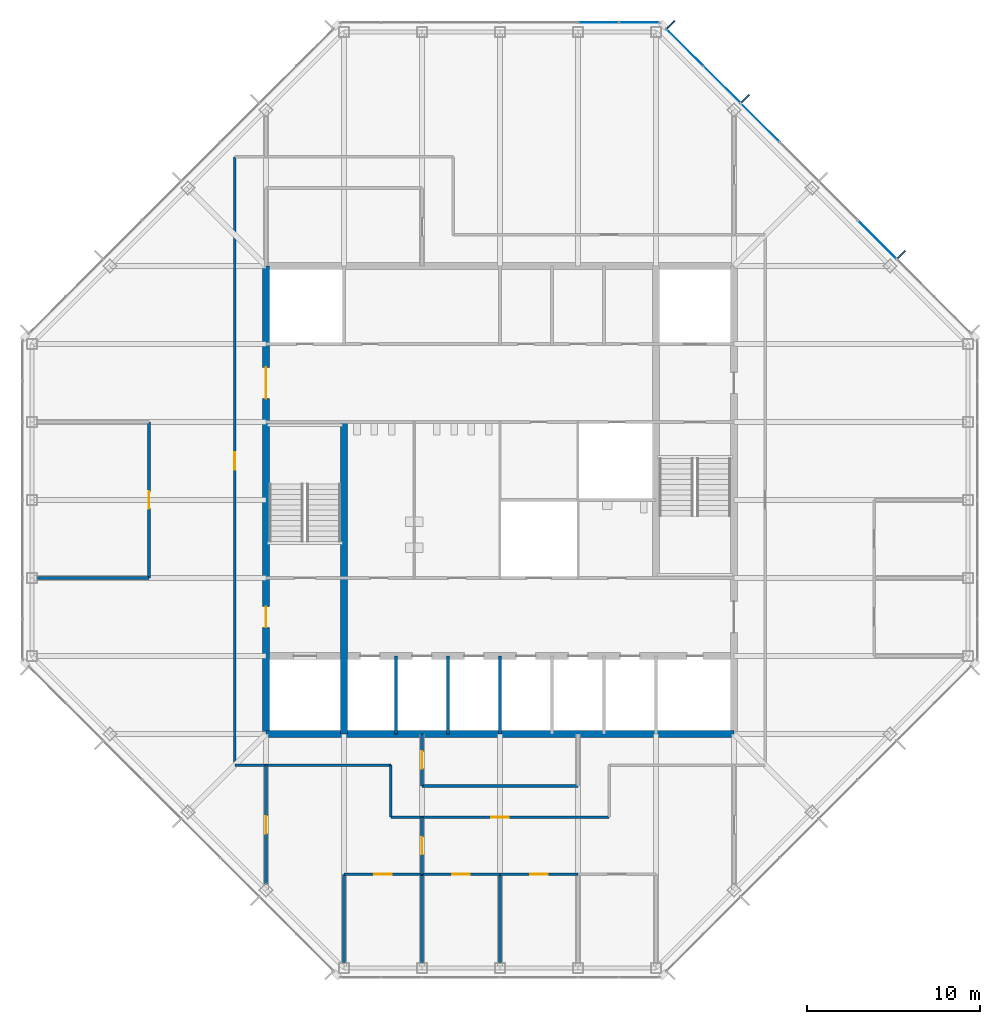
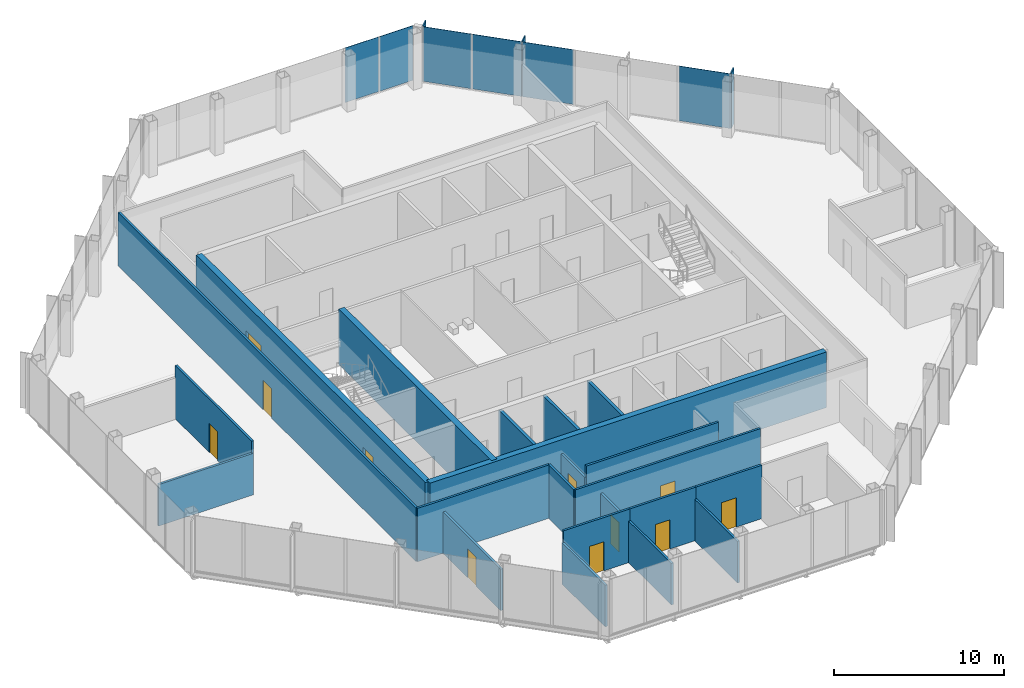
# One storey, part 9 of 13: 22 walls, 11 doors, 9 plates, 11 openings, 2 elements without a shape of their own.
"""IFC4 building model written with IfcOpenShell, lengths in metres."""

from ifc_helpers import new_model, si_unit, direction, frame, frame_2d, origin, origin_2d, place, context, subcontext, project, spatial, rectangle, extrude, material, layer, layer_set, type_object, element, fill, aggregate, save


model = new_model("IFC4")

# Units and contexts
model_context = context("Model", 3, precision=1e-05, world=origin(), true_north=direction((0.0, 1.0)))
body_context = subcontext(model_context, "Body", "Model", "MODEL_VIEW")
ifc_project = project(units=[si_unit("LENGTHUNIT", "METRE"), si_unit("AREAUNIT", "SQUARE_METRE"), si_unit("VOLUMEUNIT", "CUBIC_METRE"), si_unit("PLANEANGLEUNIT", "RADIAN"), si_unit("MASSUNIT", "GRAM", prefix="KILO")], contexts=[model_context])

# Site, building, storey
site_placement = place(None, origin())
site = spatial("IfcSite", under=ifc_project, at=site_placement, CompositionType="ELEMENT")
building_placement = place(site_placement, origin())
building = spatial("IfcBuilding", under=site, at=building_placement, Name="Corais Broadcast Tower", CompositionType="ELEMENT")
storey_placement = place(building_placement, frame((0.0, 0.0, 270.60009765625)))
storey = spatial("IfcBuildingStorey", under=building, at=storey_placement, Name="L63", CompositionType="ELEMENT", Elevation=270.60009765625)

# Curtain wall, plate
ifc_material_1 = material(Name="Aluminium and glass", Category="aluminium")
curtain_wall_type = type_object("IfcCurtainWallType", Name="Unitised fritted curtain wall CW3", PredefinedType="NOTDEFINED", material=ifc_material_1)
curtain_wall_1_placement = place(storey_placement, origin())
curtain_wall_1 = element("IfcCurtainWall", 1, at=curtain_wall_1_placement, inside=storey, type_object=curtain_wall_type, Name="CW3 curtain wall L63 4", PredefinedType="NOTDEFINED")
ifc_material_2 = material(Name="Ceramic-fritted laminated glass", Category="glass")
ifc_layer_1 = layer(ifc_material_2, 0.02587890625)
ifc_layer_set_1 = layer_set([ifc_layer_1], Name="Ceramic-fritted laminated glass")
plate_type_1 = type_object("IfcPlateType", Name="Fritted glass panel CW3", PredefinedType="CURTAIN_PANEL", material=ifc_layer_set_1)
plate_1_placement = place(storey_placement, frame((32.681884765625, 54.550048828125, 0.06494140625), z_axis=(0.0, 0.0, 1.0), x_axis=(1.0, 0.0, 0.0)))
plate_1 = element("IfcPlate", 2, at=plate_1_placement, type_object=plate_type_1, Name="CW3 panel 5", PredefinedType="CURTAIN_PANEL", context=body_context, shape_type="SweptSolid", body=[
    extrude(rectangle(XDim=2.298828125, YDim=0.02587890625, at=origin_2d()), origin(), (0.0, 0.0, 1.0), 3.93505859375),
])

# Curtain wall, plates
curtain_wall_2_placement = place(storey_placement, origin())
curtain_wall_2 = element("IfcCurtainWall", 3, at=curtain_wall_2_placement, inside=storey, type_object=curtain_wall_type, Name="CW3 curtain wall L63 5", PredefinedType="NOTDEFINED")
plate_2_placement = place(storey_placement, frame((37.669677734375, 53.108154296875, 0.06494140625), z_axis=(0.0, 0.0, 1.0), x_axis=(0.707106781187, -0.707106781187, 0.0)))
plate_2 = element("IfcPlate", 4, at=plate_2_placement, type_object=plate_type_1, Name="CW3 panel 1", PredefinedType="CURTAIN_PANEL", context=body_context, shape_type="SweptSolid", body=[
    extrude(rectangle(XDim=2.9482421875, YDim=0.02587890625, at=origin_2d()), origin(), (0.0, 0.0, 1.0), 3.93505859375),
])
plate_3_placement = place(storey_placement, frame((42.013916015625, 48.763916015625, 0.06494140625), z_axis=(0.0, 0.0, 1.0), x_axis=(0.707106781187, -0.707106781187, 0.0)))
plate_3 = element("IfcPlate", 5, at=plate_3_placement, type_object=plate_type_1, Name="CW3 panel 3", PredefinedType="CURTAIN_PANEL", context=body_context, shape_type="SweptSolid", body=[
    extrude(rectangle(XDim=3.116943359375, YDim=0.02587890625, at=origin_2d()), origin(), (0.0, 0.0, 1.0), 3.93505859375),
])

# Plate
ifc_material_3 = material(Name="Clear laminated glass", Category="glass")
ifc_layer_2 = layer(ifc_material_3, 0.030029296875)
ifc_layer_set_2 = layer_set([ifc_layer_2], Name="Clear laminated glass")
plate_type_2 = type_object("IfcPlateType", Name="Operable glass panel CW3", PredefinedType="CURTAIN_PANEL", material=ifc_layer_set_2)
plate_4_placement = place(storey_placement, frame((35.029541015625, 54.550048828125, 0.06494140625), z_axis=(0.0, 0.0, 1.0), x_axis=(1.0, 0.0, 0.0)))
plate_4 = element("IfcPlate", 6, at=plate_4_placement, type_object=plate_type_2, Name="CW3 operable panel 6", PredefinedType="CURTAIN_PANEL", context=body_context, shape_type="SweptSolid", body=[
    extrude(rectangle(XDim=2.266357421875, YDim=0.030029296875, at=origin_2d()), origin(), (0.0, 0.0, 1.0), 3.93505859375),
])

aggregate(curtain_wall_1, [plate_1, plate_4])

plate_5_placement = place(storey_placement, frame((39.81201171875, 50.9658203125, 0.06494140625), z_axis=(0.0, 0.0, 1.0), x_axis=(0.707106781187, -0.707106781187, 0.0)))
plate_5 = element("IfcPlate", 7, at=plate_5_placement, type_object=plate_type_2, Name="CW3 operable panel 2", PredefinedType="CURTAIN_PANEL", context=body_context, shape_type="SweptSolid", body=[
    extrude(rectangle(XDim=2.98095703125, YDim=0.030029296875, at=origin_2d()), origin(), (0.0, 0.0, 1.0), 3.93505859375),
])

plate_6_placement = place(storey_placement, frame((48.763916015625, 42.013916015625, 0.06494140625), z_axis=(0.0, 0.0, 1.0), x_axis=(0.707106781187, -0.707106781187, 0.0)))
plate_6 = element("IfcPlate", 8, at=plate_6_placement, type_object=plate_type_2, Name="CW3 operable panel 6", PredefinedType="CURTAIN_PANEL", context=body_context, shape_type="SweptSolid", body=[
    extrude(rectangle(XDim=3.116943359375, YDim=0.030029296875, at=origin_2d()), origin(), (0.0, 0.0, 1.0), 3.93505859375),
])

aggregate(curtain_wall_2, [plate_2, plate_5, plate_3, plate_6])

# Plates
ifc_material_4 = material(Name="Granite stone cladding", Category="masonry")
ifc_layer_3 = layer(ifc_material_4, 0.080078125)
ifc_layer_set_3 = layer_set([ifc_layer_3], Name="Granite stone cladding")
plate_type_3 = type_object("IfcPlateType", Name="Stone screen fin 80x600", PredefinedType="USERDEFINED", material=ifc_layer_set_3)
for number, where, z_axis, x_axis, name in (
    (9, (36.870849609375, 54.43994140625, 0.0), (0.0, 0.0, 1.0), (0.707106781187, -0.707106781187, 0.0), "SF1 stone screen fin L63"),
    (10, (41.155517578125, 50.155517578125, 0.0), (0.0, 0.0, 1.0), (0.707106781187, -0.707106781187, 0.0), "SF1 stone screen fin L63"),
    (11, (50.155517578125, 41.155517578125, 0.0), (0.0, 0.0, 1.0), (0.707106781187, -0.707106781187, 0.0), "SF1 stone screen fin L63"),
):
    element("IfcPlate", number, at=place(storey_placement, frame(where, z_axis=z_axis, x_axis=x_axis)), inside=storey, type_object=plate_type_3, Name=name, ObjectType="STONE SCREEN FIN", PredefinedType="USERDEFINED", context=body_context, shape_type="SweptSolid", body=[
        extrude(rectangle(XDim=0.080078125, YDim=0.60009765625, at=origin_2d()), origin(), (0.0, 0.0, 1.0), 4.0),
    ])

# Wall
ifc_material_5 = material(Name="Concrete C50/60", Category="concrete")
ifc_layer_4 = layer(ifc_material_5, 0.39990234375)
ifc_layer_set_4 = layer_set([ifc_layer_4], Name="Concrete C50/60")
wall_type_1 = type_object("IfcWallType", Name="Core wall 400", PredefinedType="SHEAR", material=ifc_layer_set_4)
wall_1_placement = place(storey_placement, frame((13.5, 13.5, 0.0), z_axis=(0.0, 0.0, 1.0), x_axis=(1.0, 0.0, 0.0)))
element("IfcWall", 12, at=wall_1_placement, inside=storey, type_object=wall_type_1, Name="CR400 core wall S L63", PredefinedType="SHEAR", context=body_context, shape_type="SweptSolid", body=[
    extrude(rectangle(XDim=27.0, YDim=0.39990234375, at=frame_2d((13.5, 0.0))), origin(), (0.0, 0.0, 1.0), 4.0),
])

# Wall, openings, doors
wall_2_placement = place(storey_placement, frame((13.5, 40.5, 0.0), z_axis=(0.0, 0.0, 1.0), x_axis=(0.0, -1.0, 0.0)))
wall_2 = element("IfcWall", 13, at=wall_2_placement, inside=storey, type_object=wall_type_1, Name="CR400 core wall W L63", PredefinedType="SHEAR", context=body_context, shape_type="SweptSolid", body=[
    extrude(rectangle(XDim=27.0, YDim=0.39990234375, at=frame_2d((13.5, 0.0))), origin(), (0.0, 0.0, 1.0), 4.0),
])
opening_1_placement = place(wall_2_placement, frame((19.64990234375, 0.0, 0.0)))
opening_1 = element("IfcOpeningElement", 14, at=opening_1_placement, cuts=wall_2, Name="Opening FD1", PredefinedType="OPENING", context=body_context, shape_type="SweptSolid", body=[
    extrude(rectangle(XDim=1.199951171875, YDim=2.10009765625, at=frame_2d((0.60009765625, 1.050048828125))), frame((0.0, 0.2099609375, 0.0), z_axis=(0.0, -1.0, 0.0), x_axis=(1.0, 0.0, 0.0)), (0.0, 0.0, 1.0), 0.419921875),
])
opening_2_placement = place(wall_2_placement, frame((5.85009765625, 0.0, 0.0)))
opening_2 = element("IfcOpeningElement", 15, at=opening_2_placement, cuts=wall_2, Name="Opening FD2", PredefinedType="OPENING", context=body_context, shape_type="SweptSolid", body=[
    extrude(rectangle(XDim=1.800048828125, YDim=2.10009765625, at=frame_2d((0.89990234375, 1.050048828125))), frame((0.0, 0.2099609375, 0.0), z_axis=(0.0, -1.0, 0.0), x_axis=(1.0, 0.0, 0.0)), (0.0, 0.0, 1.0), 0.419921875),
])
ifc_material_6 = material(Name="Steel fire door", Category="steel")
door_type_1 = type_object("IfcDoorType", Name="Fire door 1200x2100", OperationType="SINGLE_SWING_LEFT", PredefinedType="DOOR", material=ifc_material_6)
door_1_placement = place(opening_1_placement, origin())
door_1 = element("IfcDoor", 16, at=door_1_placement, inside=storey, type_object=door_type_1, Name="FD1 fire lobby A door L63", OperationType="SINGLE_SWING_RIGHT", OverallHeight=2.10009765625, OverallWidth=1.199951171875, PredefinedType="DOOR", context=body_context, shape_type="SweptSolid", body=[
    extrude(rectangle(XDim=1.199951171875, YDim=2.10009765625, at=frame_2d((0.60009765625, 1.050048828125))), frame((0.0, 0.02490234375, 0.0), z_axis=(0.0, -1.0, 0.0), x_axis=(1.0, 0.0, 0.0)), (0.0, 0.0, 1.0), 0.050048828125),
])
fill(opening_1, door_1)
ifc_material_7 = material(Name="Steel fire door", Category="steel")
door_type_2 = type_object("IfcDoorType", Name="Fire door pair 1800x2100", OperationType="DOUBLE_DOOR_SINGLE_SWING", PredefinedType="DOOR", material=ifc_material_7)
door_2_placement = place(opening_2_placement, origin())
door_2 = element("IfcDoor", 17, at=door_2_placement, inside=storey, type_object=door_type_2, Name="FD2 lift lobby door L63", OperationType="SINGLE_SWING_LEFT", OverallHeight=2.10009765625, OverallWidth=1.800048828125, PredefinedType="DOOR", context=body_context, shape_type="SweptSolid", body=[
    extrude(rectangle(XDim=1.800048828125, YDim=2.10009765625, at=frame_2d((0.89990234375, 1.050048828125))), frame((0.0, 0.02490234375, 0.0), z_axis=(0.0, -1.0, 0.0), x_axis=(1.0, 0.0, 0.0)), (0.0, 0.0, 1.0), 0.050048828125),
])
fill(opening_2, door_2)

# Wall
wall_3_placement = place(storey_placement, frame((18.0, 13.5, 0.0), z_axis=(0.0, 0.0, 1.0), x_axis=(0.0, 1.0, 0.0)))
element("IfcWall", 18, at=wall_3_placement, inside=storey, type_object=wall_type_1, Name="CR400 core wall X18A L63", PredefinedType="SHEAR", context=body_context, shape_type="SweptSolid", body=[
    extrude(rectangle(XDim=18.0, YDim=0.39990234375, at=frame_2d((9.0, 0.0))), origin(), (0.0, 0.0, 1.0), 4.0),
])

# Wall, opening, door
ifc_material_8 = material(Name="Gypsum board on steel studs", Category="steel")
ifc_layer_5 = layer(ifc_material_8, 0.14990234375)
ifc_layer_set_5 = layer_set([ifc_layer_5], Name="Gypsum board on steel studs")
wall_type_2 = type_object("IfcWallType", Name="Partition 150", PredefinedType="PARTITIONING", material=ifc_layer_set_5)
wall_4_placement = place(storey_placement, frame((11.699951171875, 46.800048828125, 0.0), z_axis=(0.0, 0.0, 1.0), x_axis=(0.0, -1.0, 0.0)))
wall_4 = element("IfcWall", 19, at=wall_4_placement, inside=storey, type_object=wall_type_2, Name="IW3 corridor wall L63", PredefinedType="PARTITIONING", context=body_context, shape_type="SweptSolid", body=[
    extrude(rectangle(XDim=35.10009765625, YDim=0.14990234375, at=frame_2d((17.550048828125, 0.0))), origin(), (0.0, 0.0, 1.0), 3.83984375),
])
opening_3_placement = place(wall_4_placement, frame((17.050048828125, 0.0, 0.0)))
opening_3 = element("IfcOpeningElement", 20, at=opening_3_placement, cuts=wall_4, Name="Opening D1", PredefinedType="OPENING", context=body_context, shape_type="SweptSolid", body=[
    extrude(rectangle(XDim=1.0, YDim=2.10009765625, at=frame_2d((0.5, 1.050048828125))), frame((0.0, 0.0849609375, 0.0), z_axis=(0.0, -1.0, 0.0), x_axis=(1.0, 0.0, 0.0)), (0.0, 0.0, 1.0), 0.169921875),
])
ifc_material_9 = material(Name="Timber door", Category="wood")
door_type_3 = type_object("IfcDoorType", Name="Single door 1000x2100", OperationType="SINGLE_SWING_LEFT", PredefinedType="DOOR", material=ifc_material_9)
door_3_placement = place(opening_3_placement, origin())
door_3 = element("IfcDoor", 21, at=door_3_placement, inside=storey, type_object=door_type_3, Name="D1 workplace door L63", OperationType="SINGLE_SWING_LEFT", OverallHeight=2.10009765625, OverallWidth=1.0, PredefinedType="DOOR", context=body_context, shape_type="SweptSolid", body=[
    extrude(rectangle(XDim=1.0, YDim=2.10009765625, at=frame_2d((0.5, 1.050048828125))), frame((0.0, 0.02490234375, 0.0), z_axis=(0.0, -1.0, 0.0), x_axis=(1.0, 0.0, 0.0)), (0.0, 0.0, 1.0), 0.050048828125),
])
fill(opening_3, door_3)

wall_5_placement = place(storey_placement, frame((20.699951171875, 8.699951171875, 0.0), z_axis=(0.0, 0.0, 1.0), x_axis=(1.0, 0.0, 0.0)))
wall_5 = element("IfcWall", 22, at=wall_5_placement, inside=storey, type_object=wall_type_2, Name="IW3 corridor wall L63", PredefinedType="PARTITIONING", context=body_context, shape_type="SweptSolid", body=[
    extrude(rectangle(XDim=12.60009765625, YDim=0.14990234375, at=frame_2d((6.300048828125, 0.0))), origin(), (0.0, 0.0, 1.0), 3.83984375),
])
opening_4_placement = place(wall_5_placement, frame((5.800048828125, 0.0, 0.0)))
opening_4 = element("IfcOpeningElement", 23, at=opening_4_placement, cuts=wall_5, Name="Opening D1", PredefinedType="OPENING", context=body_context, shape_type="SweptSolid", body=[
    extrude(rectangle(XDim=1.0, YDim=2.10009765625, at=frame_2d((0.5, 1.050048828125))), frame((0.0, 0.0849609375, 0.0), z_axis=(0.0, -1.0, 0.0), x_axis=(1.0, 0.0, 0.0)), (0.0, 0.0, 1.0), 0.169921875),
])
door_4_placement = place(opening_4_placement, origin())
door_4 = element("IfcDoor", 24, at=door_4_placement, inside=storey, type_object=door_type_3, Name="D1 workplace door L63", OperationType="SINGLE_SWING_LEFT", OverallHeight=2.10009765625, OverallWidth=1.0, PredefinedType="DOOR", context=body_context, shape_type="SweptSolid", body=[
    extrude(rectangle(XDim=1.0, YDim=2.10009765625, at=frame_2d((0.5, 1.050048828125))), frame((0.0, 0.02490234375, 0.0), z_axis=(0.0, -1.0, 0.0), x_axis=(1.0, 0.0, 0.0)), (0.0, 0.0, 1.0), 0.050048828125),
])
fill(opening_4, door_4)

# Walls
wall_6_placement = place(storey_placement, frame((11.699951171875, 11.699951171875, 0.0), z_axis=(0.0, 0.0, 1.0), x_axis=(1.0, 0.0, 0.0)))
element("IfcWall", 25, at=wall_6_placement, inside=storey, type_object=wall_type_2, Name="IW3 corridor wall L63", PredefinedType="PARTITIONING", context=body_context, shape_type="SweptSolid", body=[
    extrude(rectangle(XDim=9.0, YDim=0.14990234375, at=frame_2d((4.5, 0.0))), origin(), (0.0, 0.0, 1.0), 3.83984375),
])
wall_7_placement = place(storey_placement, frame((20.699951171875, 11.699951171875, 0.0), z_axis=(0.0, 0.0, 1.0), x_axis=(0.0, -1.0, 0.0)))
element("IfcWall", 26, at=wall_7_placement, inside=storey, type_object=wall_type_2, Name="IW3 corridor wall L63", PredefinedType="PARTITIONING", context=body_context, shape_type="SweptSolid", body=[
    extrude(rectangle(XDim=3.0, YDim=0.14990234375, at=frame_2d((1.5, 0.0))), origin(), (0.0, 0.0, 1.0), 3.83984375),
])
wall_8_placement = place(storey_placement, frame((0.31005859375, 22.5, 0.0), z_axis=(0.0, 0.0, 1.0), x_axis=(1.0, 0.0, 0.0)))
element("IfcWall", 27, at=wall_8_placement, inside=storey, type_object=wall_type_2, Name="IW3 partition L63", PredefinedType="PARTITIONING", context=body_context, shape_type="SweptSolid", body=[
    extrude(rectangle(XDim=6.43994140625, YDim=0.14990234375, at=frame_2d((3.219970703125, 0.0))), origin(), (0.0, 0.0, 1.0), 2.989013671875),
])

# Wall, opening, door
wall_9_placement = place(storey_placement, frame((6.75, 22.5, 0.0), z_axis=(0.0, 0.0, 1.0), x_axis=(0.0, 1.0, 0.0)))
wall_9 = element("IfcWall", 28, at=wall_9_placement, inside=storey, type_object=wall_type_2, Name="IW3 partition L63", PredefinedType="PARTITIONING", context=body_context, shape_type="SweptSolid", body=[
    extrude(rectangle(XDim=9.0, YDim=0.14990234375, at=frame_2d((4.5, 0.0))), origin(), (0.0, 0.0, 1.0), 3.83984375),
])
opening_5_placement = place(wall_9_placement, frame((4.0, 0.0, 0.0)))
opening_5 = element("IfcOpeningElement", 29, at=opening_5_placement, cuts=wall_9, Name="Opening D1", PredefinedType="OPENING", context=body_context, shape_type="SweptSolid", body=[
    extrude(rectangle(XDim=1.0, YDim=2.10009765625, at=frame_2d((0.5, 1.050048828125))), frame((0.0, 0.0849609375, 0.0), z_axis=(0.0, -1.0, 0.0), x_axis=(1.0, 0.0, 0.0)), (0.0, 0.0, 1.0), 0.169921875),
])
door_5_placement = place(opening_5_placement, origin())
door_5 = element("IfcDoor", 30, at=door_5_placement, inside=storey, type_object=door_type_3, Name="D1 Conference room door", OperationType="SINGLE_SWING_LEFT", OverallHeight=2.10009765625, OverallWidth=1.0, PredefinedType="DOOR", context=body_context, shape_type="SweptSolid", body=[
    extrude(rectangle(XDim=1.0, YDim=2.10009765625, at=frame_2d((0.5, 1.050048828125))), frame((0.0, 0.02490234375, 0.0), z_axis=(0.0, -1.0, 0.0), x_axis=(1.0, 0.0, 0.0)), (0.0, 0.0, 1.0), 0.050048828125),
])
fill(opening_5, door_5)

# Wall
wall_10_placement = place(storey_placement, frame((22.5, 10.5, 0.0), z_axis=(0.0, 0.0, 1.0), x_axis=(1.0, 0.0, 0.0)))
element("IfcWall", 31, at=wall_10_placement, inside=storey, type_object=wall_type_2, Name="IW3 partition L63", PredefinedType="PARTITIONING", context=body_context, shape_type="SweptSolid", body=[
    extrude(rectangle(XDim=9.0, YDim=0.14990234375, at=frame_2d((4.5, 0.0))), origin(), (0.0, 0.0, 1.0), 3.83984375),
])

# Wall, opening, door
wall_11_placement = place(storey_placement, frame((22.5, 13.5, 0.0), z_axis=(0.0, 0.0, 1.0), x_axis=(0.0, -1.0, 0.0)))
wall_11 = element("IfcWall", 32, at=wall_11_placement, inside=storey, type_object=wall_type_2, Name="IW3 partition L63", PredefinedType="PARTITIONING", context=body_context, shape_type="SweptSolid", body=[
    extrude(rectangle(XDim=3.0, YDim=0.14990234375, at=frame_2d((1.5, 0.0))), origin(), (0.0, 0.0, 1.0), 2.989013671875),
])
opening_6_placement = place(wall_11_placement, frame((1.0, 0.0, 0.0)))
opening_6 = element("IfcOpeningElement", 33, at=opening_6_placement, cuts=wall_11, Name="Opening D1", PredefinedType="OPENING", context=body_context, shape_type="SweptSolid", body=[
    extrude(rectangle(XDim=1.0, YDim=2.10009765625, at=frame_2d((0.5, 1.050048828125))), frame((0.0, 0.0849609375, 0.0), z_axis=(0.0, -1.0, 0.0), x_axis=(1.0, 0.0, 0.0)), (0.0, 0.0, 1.0), 0.169921875),
])
door_6_placement = place(opening_6_placement, origin())
door_6 = element("IfcDoor", 34, at=door_6_placement, inside=storey, type_object=door_type_3, Name="D1 Pantry door", OperationType="SINGLE_SWING_LEFT", OverallHeight=2.10009765625, OverallWidth=1.0, PredefinedType="DOOR", context=body_context, shape_type="SweptSolid", body=[
    extrude(rectangle(XDim=1.0, YDim=2.10009765625, at=frame_2d((0.5, 1.050048828125))), frame((0.0, 0.02490234375, 0.0), z_axis=(0.0, -1.0, 0.0), x_axis=(1.0, 0.0, 0.0)), (0.0, 0.0, 1.0), 0.050048828125),
])
fill(opening_6, door_6)

# Wall
wall_12_placement = place(storey_placement, frame((22.5, 0.31005859375, 0.0), z_axis=(0.0, 0.0, 1.0), x_axis=(0.0, 1.0, 0.0)))
element("IfcWall", 35, at=wall_12_placement, inside=storey, type_object=wall_type_2, Name="IW3 partition L63", PredefinedType="PARTITIONING", context=body_context, shape_type="SweptSolid", body=[
    extrude(rectangle(XDim=5.08984375, YDim=0.14990234375, at=frame_2d((2.544921875, 0.0))), origin(), (0.0, 0.0, 1.0), 2.989013671875),
])

# Wall, opening, door
wall_13_placement = place(storey_placement, frame((22.5, 5.39990234375, 0.0), z_axis=(0.0, 0.0, 1.0), x_axis=(-1.0, 0.0, 0.0)))
wall_13 = element("IfcWall", 36, at=wall_13_placement, inside=storey, type_object=wall_type_2, Name="IW3 partition L63", PredefinedType="PARTITIONING", context=body_context, shape_type="SweptSolid", body=[
    extrude(rectangle(XDim=4.5, YDim=0.14990234375, at=frame_2d((2.25, 0.0))), origin(), (0.0, 0.0, 1.0), 3.83984375),
])
opening_7_placement = place(wall_13_placement, frame((1.75, 0.0, 0.0)))
opening_7 = element("IfcOpeningElement", 37, at=opening_7_placement, cuts=wall_13, Name="Opening D1", PredefinedType="OPENING", context=body_context, shape_type="SweptSolid", body=[
    extrude(rectangle(XDim=1.0, YDim=2.10009765625, at=frame_2d((0.5, 1.050048828125))), frame((0.0, 0.0849609375, 0.0), z_axis=(0.0, -1.0, 0.0), x_axis=(1.0, 0.0, 0.0)), (0.0, 0.0, 1.0), 0.169921875),
])
door_7_placement = place(opening_7_placement, origin())
door_7 = element("IfcDoor", 38, at=door_7_placement, inside=storey, type_object=door_type_3, Name="D1 Analyst office door", OperationType="SINGLE_SWING_LEFT", OverallHeight=2.10009765625, OverallWidth=1.0, PredefinedType="DOOR", context=body_context, shape_type="SweptSolid", body=[
    extrude(rectangle(XDim=1.0, YDim=2.10009765625, at=frame_2d((0.5, 1.050048828125))), frame((0.0, 0.02490234375, 0.0), z_axis=(0.0, -1.0, 0.0), x_axis=(1.0, 0.0, 0.0)), (0.0, 0.0, 1.0), 0.050048828125),
])
fill(opening_7, door_7)

# Walls
for number, where, z_axis, x_axis, name in (
    (39, (18.0, 5.39990234375, 0.0), (0.0, 0.0, 1.0), (0.0, -1.0, 0.0), "IW3 partition L63"),
    (40, (27.0, 0.31005859375, 0.0), (0.0, 0.0, 1.0), (0.0, 1.0, 0.0), "IW3 partition L63"),
):
    element("IfcWall", number, at=place(storey_placement, frame(where, z_axis=z_axis, x_axis=x_axis)), inside=storey, type_object=wall_type_2, Name=name, PredefinedType="PARTITIONING", context=body_context, shape_type="SweptSolid", body=[
        extrude(rectangle(XDim=5.08984375, YDim=0.14990234375, at=frame_2d((2.544921875, 0.0))), origin(), (0.0, 0.0, 1.0), 2.989013671875),
    ])

# Wall, opening, door
wall_14_placement = place(storey_placement, frame((27.0, 5.39990234375, 0.0), z_axis=(0.0, 0.0, 1.0), x_axis=(-1.0, 0.0, 0.0)))
wall_14 = element("IfcWall", 41, at=wall_14_placement, inside=storey, type_object=wall_type_2, Name="IW3 partition L63", PredefinedType="PARTITIONING", context=body_context, shape_type="SweptSolid", body=[
    extrude(rectangle(XDim=4.5, YDim=0.14990234375, at=frame_2d((2.25, 0.0))), origin(), (0.0, 0.0, 1.0), 3.83984375),
])
opening_8_placement = place(wall_14_placement, frame((1.75, 0.0, 0.0)))
opening_8 = element("IfcOpeningElement", 42, at=opening_8_placement, cuts=wall_14, Name="Opening D1", PredefinedType="OPENING", context=body_context, shape_type="SweptSolid", body=[
    extrude(rectangle(XDim=1.0, YDim=2.10009765625, at=frame_2d((0.5, 1.050048828125))), frame((0.0, 0.0849609375, 0.0), z_axis=(0.0, -1.0, 0.0), x_axis=(1.0, 0.0, 0.0)), (0.0, 0.0, 1.0), 0.169921875),
])
door_8_placement = place(opening_8_placement, origin())
door_8 = element("IfcDoor", 43, at=door_8_placement, inside=storey, type_object=door_type_3, Name="D1 Analyst office door", OperationType="SINGLE_SWING_LEFT", OverallHeight=2.10009765625, OverallWidth=1.0, PredefinedType="DOOR", context=body_context, shape_type="SweptSolid", body=[
    extrude(rectangle(XDim=1.0, YDim=2.10009765625, at=frame_2d((0.5, 1.050048828125))), frame((0.0, 0.02490234375, 0.0), z_axis=(0.0, -1.0, 0.0), x_axis=(1.0, 0.0, 0.0)), (0.0, 0.0, 1.0), 0.050048828125),
])
fill(opening_8, door_8)

wall_15_placement = place(storey_placement, frame((31.5, 5.39990234375, 0.0), z_axis=(0.0, 0.0, 1.0), x_axis=(-1.0, 0.0, 0.0)))
wall_15 = element("IfcWall", 44, at=wall_15_placement, inside=storey, type_object=wall_type_2, Name="IW3 partition L63", PredefinedType="PARTITIONING", context=body_context, shape_type="SweptSolid", body=[
    extrude(rectangle(XDim=4.5, YDim=0.14990234375, at=frame_2d((2.25, 0.0))), origin(), (0.0, 0.0, 1.0), 3.83984375),
])
opening_9_placement = place(wall_15_placement, frame((1.75, 0.0, 0.0)))
opening_9 = element("IfcOpeningElement", 45, at=opening_9_placement, cuts=wall_15, Name="Opening D1", PredefinedType="OPENING", context=body_context, shape_type="SweptSolid", body=[
    extrude(rectangle(XDim=1.0, YDim=2.10009765625, at=frame_2d((0.5, 1.050048828125))), frame((0.0, 0.0849609375, 0.0), z_axis=(0.0, -1.0, 0.0), x_axis=(1.0, 0.0, 0.0)), (0.0, 0.0, 1.0), 0.169921875),
])
door_9_placement = place(opening_9_placement, origin())
door_9 = element("IfcDoor", 46, at=door_9_placement, inside=storey, type_object=door_type_3, Name="D1 Analyst office door", OperationType="SINGLE_SWING_LEFT", OverallHeight=2.10009765625, OverallWidth=1.0, PredefinedType="DOOR", context=body_context, shape_type="SweptSolid", body=[
    extrude(rectangle(XDim=1.0, YDim=2.10009765625, at=frame_2d((0.5, 1.050048828125))), frame((0.0, 0.02490234375, 0.0), z_axis=(0.0, -1.0, 0.0), x_axis=(1.0, 0.0, 0.0)), (0.0, 0.0, 1.0), 0.050048828125),
])
fill(opening_9, door_9)

wall_16_placement = place(storey_placement, frame((22.5, 5.39990234375, 0.0), z_axis=(0.0, 0.0, 1.0), x_axis=(0.0, 1.0, 0.0)))
wall_16 = element("IfcWall", 47, at=wall_16_placement, inside=storey, type_object=wall_type_2, Name="IW3 partition L63", PredefinedType="PARTITIONING", context=body_context, shape_type="SweptSolid", body=[
    extrude(rectangle(XDim=3.300048828125, YDim=0.14990234375, at=frame_2d((1.64990234375, 0.0))), origin(), (0.0, 0.0, 1.0), 2.989013671875),
])
opening_10_placement = place(wall_16_placement, frame((1.14990234375, 0.0, 0.0)))
opening_10 = element("IfcOpeningElement", 48, at=opening_10_placement, cuts=wall_16, Name="Opening D1", PredefinedType="OPENING", context=body_context, shape_type="SweptSolid", body=[
    extrude(rectangle(XDim=1.0, YDim=2.10009765625, at=frame_2d((0.5, 1.050048828125))), frame((0.0, 0.0849609375, 0.0), z_axis=(0.0, -1.0, 0.0), x_axis=(1.0, 0.0, 0.0)), (0.0, 0.0, 1.0), 0.169921875),
])
door_10_placement = place(opening_10_placement, origin())
door_10 = element("IfcDoor", 49, at=door_10_placement, inside=storey, type_object=door_type_3, Name="D1 team room door L63", OperationType="SINGLE_SWING_LEFT", OverallHeight=2.10009765625, OverallWidth=1.0, PredefinedType="DOOR", context=body_context, shape_type="SweptSolid", body=[
    extrude(rectangle(XDim=1.0, YDim=2.10009765625, at=frame_2d((0.5, 1.050048828125))), frame((0.0, 0.02490234375, 0.0), z_axis=(0.0, -1.0, 0.0), x_axis=(1.0, 0.0, 0.0)), (0.0, 0.0, 1.0), 0.050048828125),
])
fill(opening_10, door_10)

wall_17_placement = place(storey_placement, frame((13.5, 11.699951171875, 0.0), z_axis=(0.0, 0.0, 1.0), x_axis=(0.0, -1.0, 0.0)))
wall_17 = element("IfcWall", 50, at=wall_17_placement, inside=storey, type_object=wall_type_2, Name="IW3 partition L63", PredefinedType="PARTITIONING", context=body_context, shape_type="SweptSolid", body=[
    extrude(rectangle(XDim=6.8798828125, YDim=0.14990234375, at=frame_2d((3.43994140625, 0.0))), origin(), (0.0, 0.0, 1.0), 2.989013671875),
])
opening_11_placement = place(wall_17_placement, frame((2.93994140625, 0.0, 0.0)))
opening_11 = element("IfcOpeningElement", 51, at=opening_11_placement, cuts=wall_17, Name="Opening D1", PredefinedType="OPENING", context=body_context, shape_type="SweptSolid", body=[
    extrude(rectangle(XDim=1.0, YDim=2.10009765625, at=frame_2d((0.5, 1.050048828125))), frame((0.0, 0.0849609375, 0.0), z_axis=(0.0, -1.0, 0.0), x_axis=(1.0, 0.0, 0.0)), (0.0, 0.0, 1.0), 0.169921875),
])
door_11_placement = place(opening_11_placement, origin())
door_11 = element("IfcDoor", 52, at=door_11_placement, inside=storey, type_object=door_type_3, Name="D1 team room door L63", OperationType="SINGLE_SWING_LEFT", OverallHeight=2.10009765625, OverallWidth=1.0, PredefinedType="DOOR", context=body_context, shape_type="SweptSolid", body=[
    extrude(rectangle(XDim=1.0, YDim=2.10009765625, at=frame_2d((0.5, 1.050048828125))), frame((0.0, 0.02490234375, 0.0), z_axis=(0.0, -1.0, 0.0), x_axis=(1.0, 0.0, 0.0)), (0.0, 0.0, 1.0), 0.050048828125),
])
fill(opening_11, door_11)

# Walls
ifc_material_10 = material(Name="Concrete blockwork class A, grouted, two-hour", Category="masonry")
ifc_layer_6 = layer(ifc_material_10, 0.199951171875)
ifc_layer_set_6 = layer_set([ifc_layer_6], Name="Concrete blockwork class A, grouted, two-hour")
wall_type_3 = type_object("IfcWallType", Name="Shaft wall 200", PredefinedType="PARTITIONING", material=ifc_layer_set_6)
for number, where, z_axis, x_axis, name in (
    (53, (21.0, 13.5, 0.0), (0.0, 0.0, 1.0), (0.0, 1.0, 0.0), "IW1 shaft wall L63"),
    (54, (24.0, 13.5, 0.0), (0.0, 0.0, 1.0), (0.0, 1.0, 0.0), "IW1 shaft wall L63"),
    (55, (27.0, 13.5, 0.0), (0.0, 0.0, 1.0), (0.0, 1.0, 0.0), "IW1 shaft wall L63"),
):
    element("IfcWall", number, at=place(storey_placement, frame(where, z_axis=z_axis, x_axis=x_axis)), inside=storey, type_object=wall_type_3, Name=name, PredefinedType="PARTITIONING", context=body_context, shape_type="SweptSolid", body=[
        extrude(rectangle(XDim=4.5, YDim=0.199951171875, at=frame_2d((2.25, 0.0))), origin(), (0.0, 0.0, 1.0), 3.83984375),
    ])

save(model, "model.ifc")
